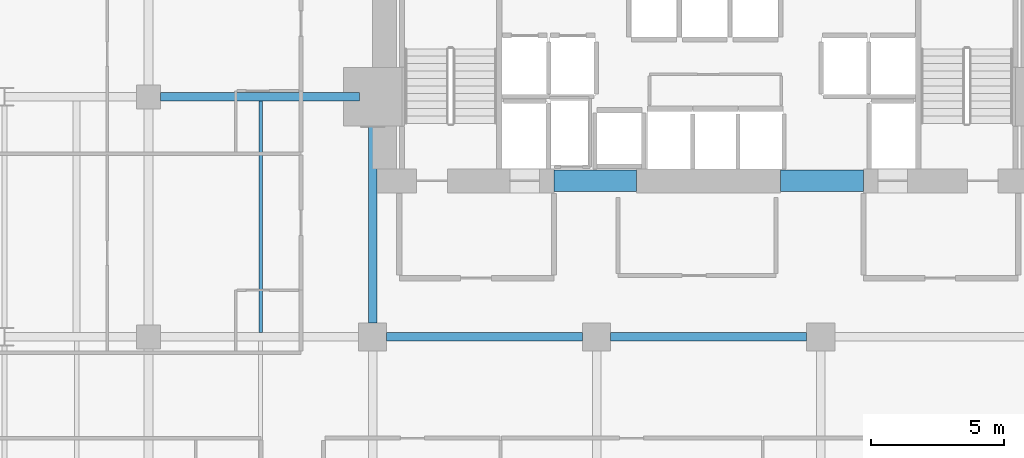
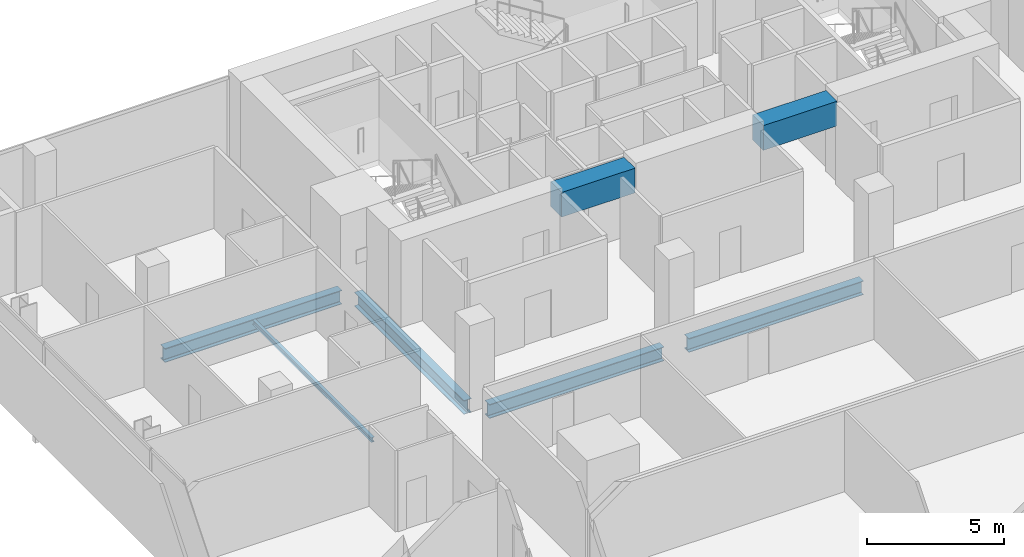
# One storey, part 24 of 40: 7 beams.
"""IFC4 building model written with IfcOpenShell, lengths in metres."""

from ifc_helpers import new_model, si_unit, direction, frame, origin, origin_2d, place, context, subcontext, project, spatial, rectangle, i_section, extrude, material, material_profile, profile_set, type_object, element, save


model = new_model("IFC4")

# Units and contexts
model_context = context("Model", 3, precision=1e-05, world=origin(), true_north=direction((0.0, 1.0)))
body_context = subcontext(model_context, "Body", "Model", "MODEL_VIEW")
ifc_project = project(units=[si_unit("LENGTHUNIT", "METRE"), si_unit("AREAUNIT", "SQUARE_METRE"), si_unit("VOLUMEUNIT", "CUBIC_METRE"), si_unit("PLANEANGLEUNIT", "RADIAN"), si_unit("MASSUNIT", "GRAM", prefix="KILO")], contexts=[model_context])

# Site, building, storey
site_placement = place(None, origin())
site = spatial("IfcSite", under=ifc_project, at=site_placement, CompositionType="ELEMENT")
building_placement = place(site_placement, origin())
building = spatial("IfcBuilding", under=site, at=building_placement, Name="Maruvema Waterfront Hotel and Observation Tower", CompositionType="ELEMENT")
storey_placement = place(building_placement, frame((0.0, 0.0, 42.35009765625)))
storey = spatial("IfcBuildingStorey", under=building, at=storey_placement, Name="L09", CompositionType="ELEMENT", Elevation=42.35009765625)

# Beams
ifc_material_1 = material(Name="Concrete C60/75", Category="concrete")
ifc_material_profile_1 = material_profile(ifc_material_1, rectangle(XDim=0.800048828125, YDim=1.10009765625, at=origin_2d()), Name="CB800x1100")
ifc_profile_set_1 = profile_set([ifc_material_profile_1], Name="Concrete C60/75")
beam_type_1 = type_object("IfcBeamType", Name="Core Coupling Lintel Beam CB800x1100", PredefinedType="LINTEL", material=ifc_profile_set_1)
for number, where, z_axis, x_axis, name in (
    (1, (32.0, 41.85009765625, 3.059814453125), (1.0, 0.0, 0.0), (0.0, 1.0, 0.0), "L09 Core Coupling Lintel Beam West"),
    (2, (40.5, 41.85009765625, 3.059814453125), (1.0, 0.0, 0.0), (0.0, 1.0, 0.0), "L09 Core Coupling Lintel Beam East"),
):
    element("IfcBeam", number, at=place(storey_placement, frame(where, z_axis=z_axis, x_axis=x_axis)), inside=storey, type_object=beam_type_1, Name=name, PredefinedType="LINTEL", context=body_context, shape_type="SweptSolid", body=[
        extrude(rectangle(XDim=0.800048828125, YDim=1.10009765625, at=origin_2d()), origin(), (0.0, 0.0, 1.0), 3.10009765625),
    ])
ifc_material_2 = material(Name="Steel ASTM A572 Grade 50", Category="steel")
ifc_material_profile_2 = material_profile(ifc_material_2, i_section(OverallWidth=0.326904296875, OverallDepth=0.6220703125, WebThickness=0.015380859375, FlangeThickness=0.0244140625, FilletRadius=0.01806640625, at=origin_2d()), Name="W610x195.0")
ifc_profile_set_2 = profile_set([ifc_material_profile_2], Name="Steel ASTM A572 Grade 50")
beam_type_2 = type_object("IfcBeamType", Name="Primary Floor Girder W610x195.0", PredefinedType="BEAM", material=ifc_profile_set_2)
beam_1_placement = place(storey_placement, frame((25.72509765625, 36.0, -0.551025390625), z_axis=(1.0, 0.0, 0.0), x_axis=(0.0, 1.0, 0.0)))
element("IfcBeam", 3, at=beam_1_placement, inside=storey, type_object=beam_type_2, Name="L09 Floor Girder EW-27", PredefinedType="BEAM", context=body_context, shape_type="SweptSolid", body=[
    extrude(i_section(OverallWidth=0.326904296875, OverallDepth=0.6220703125, WebThickness=0.015380859375, FlangeThickness=0.0244140625, FilletRadius=0.01806640625, at=origin_2d()), origin(), (0.0, 0.0, 1.0), 7.349853515625),
])
beam_2_placement = place(storey_placement, frame((34.125, 36.0, -0.551025390625), z_axis=(1.0, 0.0, 0.0), x_axis=(0.0, 1.0, 0.0)))
element("IfcBeam", 4, at=beam_2_placement, inside=storey, type_object=beam_type_2, Name="L09 Floor Girder EW-28", PredefinedType="BEAM", context=body_context, shape_type="SweptSolid", body=[
    extrude(i_section(OverallWidth=0.326904296875, OverallDepth=0.6220703125, WebThickness=0.015380859375, FlangeThickness=0.0244140625, FilletRadius=0.01806640625, at=origin_2d()), origin(), (0.0, 0.0, 1.0), 7.35009765625),
])
beam_3_placement = place(storey_placement, frame((17.25, 45.0, -0.551025390625), z_axis=(1.0, 0.0, 0.0), x_axis=(0.0, 1.0, 0.0)))
element("IfcBeam", 5, at=beam_3_placement, inside=storey, type_object=beam_type_2, Name="L09 Floor Girder EW-33", PredefinedType="BEAM", context=body_context, shape_type="SweptSolid", body=[
    extrude(i_section(OverallWidth=0.326904296875, OverallDepth=0.6220703125, WebThickness=0.015380859375, FlangeThickness=0.0244140625, FilletRadius=0.01806640625, at=origin_2d()), origin(), (0.0, 0.0, 1.0), 7.449951171875),
])
beam_4_placement = place(storey_placement, frame((25.199951171875, 36.52490234375, -0.551025390625), z_axis=(0.0, 1.0, 0.0), x_axis=(-1.0, 0.0, 0.0)))
element("IfcBeam", 6, at=beam_4_placement, inside=storey, type_object=beam_type_2, Name="L09 Floor Girder NS-15", PredefinedType="BEAM", context=body_context, shape_type="SweptSolid", body=[
    extrude(i_section(OverallWidth=0.326904296875, OverallDepth=0.6220703125, WebThickness=0.015380859375, FlangeThickness=0.0244140625, FilletRadius=0.01806640625, at=origin_2d()), origin(), (0.0, 0.0, 1.0), 7.97509765625),
])
ifc_material_3 = material(Name="Steel ASTM A572 Grade 50", Category="steel")
ifc_material_profile_3 = material_profile(ifc_material_3, i_section(OverallWidth=0.133056640625, OverallDepth=0.20703125, WebThickness=0.005859375, FlangeThickness=0.00830078125, FilletRadius=0.010009765625, at=origin_2d()), Name="W200x26.6")
ifc_profile_set_3 = profile_set([ifc_material_profile_3], Name="Steel ASTM A572 Grade 50")
beam_type_3 = type_object("IfcBeamType", Name="Secondary Floor Joist W200x26.6", PredefinedType="JOIST", material=ifc_profile_set_3)
beam_5_placement = place(storey_placement, frame((21.0, 36.16357421875, -0.343505859375), z_axis=(0.0, 1.0, 0.0), x_axis=(-1.0, 0.0, 0.0)))
element("IfcBeam", 7, at=beam_5_placement, inside=storey, type_object=beam_type_3, Name="L09 Secondary Floor Joist JS-09", PredefinedType="JOIST", context=body_context, shape_type="SweptSolid", body=[
    extrude(i_section(OverallWidth=0.133056640625, OverallDepth=0.20703125, WebThickness=0.005859375, FlangeThickness=0.00830078125, FilletRadius=0.010009765625, at=origin_2d()), origin(), (0.0, 0.0, 1.0), 8.6728515625),
])

save(model, "model.ifc")
